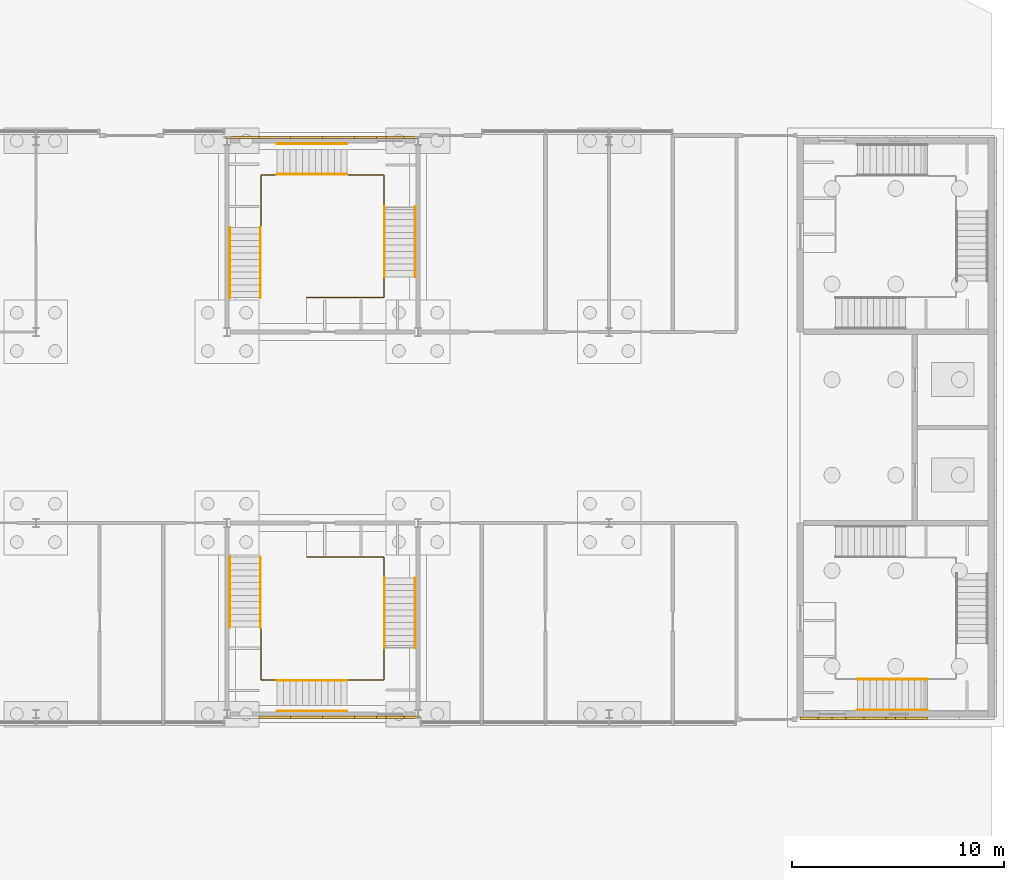
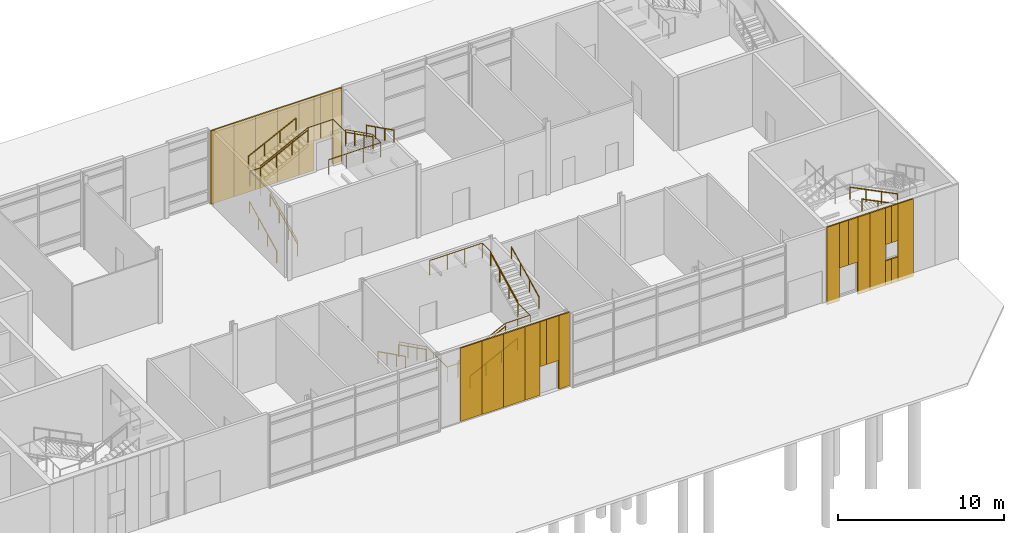
# One storey, part 43 of 45: 25 coverings, 16 railings.
"""IFC4 building model written with IfcOpenShell, lengths in metres."""

from ifc_helpers import new_model, si_unit, direction, frame, origin, origin_2d, place, context, subcontext, project, spatial, rectangle, circle, extrude, material, layer, layer_set, type_object, element, save


model = new_model("IFC4")

# Units and contexts
model_context = context("Model", 3, precision=1e-05, world=origin(), true_north=direction((0.0, 1.0)))
body_context = subcontext(model_context, "Body", "Model", "MODEL_VIEW")
ifc_project = project(units=[si_unit("LENGTHUNIT", "METRE"), si_unit("AREAUNIT", "SQUARE_METRE"), si_unit("VOLUMEUNIT", "CUBIC_METRE"), si_unit("PLANEANGLEUNIT", "RADIAN"), si_unit("MASSUNIT", "GRAM", prefix="KILO")], contexts=[model_context])

# Site, building, storey
site_placement = place(None, origin())
site = spatial("IfcSite", under=ifc_project, at=site_placement, CompositionType="ELEMENT")
building_placement = place(site_placement, origin())
building = spatial("IfcBuilding", under=site, at=building_placement, Name="Azimuth Sports and Learning Centre", CompositionType="ELEMENT")
storey_placement = place(building_placement, origin())
storey = spatial("IfcBuildingStorey", under=building, at=storey_placement, Name="L00", CompositionType="ELEMENT", Elevation=0.0)

# Coverings
ifc_material_1 = material(Name="Cladding panel")
ifc_layer = layer(ifc_material_1, 0.10009765625)
ifc_layer_set = layer_set([ifc_layer], Name="Cladding panel")
covering_type = type_object("IfcCoveringType", Name="Cladding panel 100", PredefinedType="CLADDING", material=ifc_layer_set)
for number, where, z_axis, x_axis, name in (
    (1, (137.25, 89.85009765625, 0.0), (0.0, 0.0, 1.0), (1.0, 0.0, 0.0), "Cladding panel S-EM1 L00 2"),
    (2, (138.75, 89.85009765625, 0.0), (0.0, 0.0, 1.0), (1.0, 0.0, 0.0), "Cladding panel S-EM1 L00 3"),
    (3, (140.25, 89.85009765625, 0.0), (0.0, 0.0, 1.0), (1.0, 0.0, 0.0), "Cladding panel S-EM1 L00 4"),
):
    element("IfcCovering", number, at=place(storey_placement, frame(where, z_axis=z_axis, x_axis=x_axis)), inside=storey, type_object=covering_type, Name=name, PredefinedType="CLADDING", context=body_context, shape_type="SweptSolid", body=[
        extrude(rectangle(XDim=1.5, YDim=0.10009765625, at=origin_2d()), origin(), (0.0, 0.0, 1.0), 5.39990234375),
    ])
covering_1_placement = place(storey_placement, frame((142.27490234375, 89.85009765625, 2.10009765625), z_axis=(0.0, 0.0, 1.0), x_axis=(1.0, 0.0, 0.0)))
element("IfcCovering", 4, at=covering_1_placement, inside=storey, type_object=covering_type, Name="Cladding panel S-EM1 L00 5", PredefinedType="CLADDING", context=body_context, shape_type="SweptSolid", body=[
    extrude(rectangle(XDim=0.449951171875, YDim=0.10009765625, at=origin_2d()), origin(), (0.0, 0.0, 1.0), 3.300048828125),
])
covering_2_placement = place(storey_placement, frame((141.52490234375, 89.85009765625, 0.0), z_axis=(0.0, 0.0, 1.0), x_axis=(1.0, 0.0, 0.0)))
element("IfcCovering", 5, at=covering_2_placement, inside=storey, type_object=covering_type, Name="Cladding panel S-EM1 L00 6", PredefinedType="CLADDING", context=body_context, shape_type="SweptSolid", body=[
    extrude(rectangle(XDim=1.050048828125, YDim=0.10009765625, at=origin_2d()), origin(), (0.0, 0.0, 1.0), 5.39990234375),
])
covering_3_placement = place(storey_placement, frame((142.925048828125, 89.85009765625, 2.10009765625), z_axis=(0.0, 0.0, 1.0), x_axis=(1.0, 0.0, 0.0)))
element("IfcCovering", 6, at=covering_3_placement, inside=storey, type_object=covering_type, Name="Cladding panel S-EM1 L00 7", PredefinedType="CLADDING", context=body_context, shape_type="SweptSolid", body=[
    extrude(rectangle(XDim=0.85009765625, YDim=0.10009765625, at=origin_2d()), origin(), (0.0, 0.0, 1.0), 3.300048828125),
])
covering_4_placement = place(storey_placement, frame((143.72509765625, 89.85009765625, 0.0), z_axis=(0.0, 0.0, 1.0), x_axis=(1.0, 0.0, 0.0)))
element("IfcCovering", 7, at=covering_4_placement, inside=storey, type_object=covering_type, Name="Cladding panel S-EM1 L00 8", PredefinedType="CLADDING", context=body_context, shape_type="SweptSolid", body=[
    extrude(rectangle(XDim=0.75, YDim=0.10009765625, at=origin_2d()), origin(), (0.0, 0.0, 1.0), 5.39990234375),
])
covering_5_placement = place(storey_placement, frame((163.175048828125, 89.800048828125, 2.10009765625), z_axis=(0.0, 0.0, 1.0), x_axis=(1.0, 0.0, 0.0)))
element("IfcCovering", 8, at=covering_5_placement, inside=storey, type_object=covering_type, Name="Cladding panel S-END E L00 1", PredefinedType="CLADDING", context=body_context, shape_type="SweptSolid", body=[
    extrude(rectangle(XDim=0.64990234375, YDim=0.10009765625, at=origin_2d()), origin(), (0.0, 0.0, 1.0), 3.300048828125),
])
covering_6_placement = place(storey_placement, frame((162.425048828125, 89.800048828125, -0.2998046875), z_axis=(0.0, 0.0, 1.0), x_axis=(1.0, 0.0, 0.0)))
element("IfcCovering", 9, at=covering_6_placement, inside=storey, type_object=covering_type, Name="Cladding panel S-END E L00 2", PredefinedType="CLADDING", context=body_context, shape_type="SweptSolid", body=[
    extrude(rectangle(XDim=0.85009765625, YDim=0.10009765625, at=origin_2d()), origin(), (0.0, 0.0, 1.0), 5.699951171875),
])
covering_7_placement = place(storey_placement, frame((163.824951171875, 89.800048828125, 2.10009765625), z_axis=(0.0, 0.0, 1.0), x_axis=(1.0, 0.0, 0.0)))
element("IfcCovering", 10, at=covering_7_placement, inside=storey, type_object=covering_type, Name="Cladding panel S-END E L00 3", PredefinedType="CLADDING", context=body_context, shape_type="SweptSolid", body=[
    extrude(rectangle(XDim=0.64990234375, YDim=0.10009765625, at=origin_2d()), origin(), (0.0, 0.0, 1.0), 3.300048828125),
])
covering_8_placement = place(storey_placement, frame((164.574951171875, 89.800048828125, -0.2998046875), z_axis=(0.0, 0.0, 1.0), x_axis=(1.0, 0.0, 0.0)))
element("IfcCovering", 11, at=covering_8_placement, inside=storey, type_object=covering_type, Name="Cladding panel S-END E L00 4", PredefinedType="CLADDING", context=body_context, shape_type="SweptSolid", body=[
    extrude(rectangle(XDim=0.85009765625, YDim=0.10009765625, at=origin_2d()), origin(), (0.0, 0.0, 1.0), 5.699951171875),
])
covering_9_placement = place(storey_placement, frame((165.52490234375, 89.800048828125, -0.2998046875), z_axis=(0.0, 0.0, 1.0), x_axis=(1.0, 0.0, 0.0)))
element("IfcCovering", 12, at=covering_9_placement, inside=storey, type_object=covering_type, Name="Cladding panel S-END E L00 5", PredefinedType="CLADDING", context=body_context, shape_type="SweptSolid", body=[
    extrude(rectangle(XDim=1.050048828125, YDim=0.10009765625, at=origin_2d()), origin(), (0.0, 0.0, 1.0), 5.699951171875),
])
covering_10_placement = place(storey_placement, frame((166.27490234375, 89.800048828125, -0.2998046875), z_axis=(0.0, 0.0, 1.0), x_axis=(1.0, 0.0, 0.0)))
element("IfcCovering", 13, at=covering_10_placement, inside=storey, type_object=covering_type, Name="Cladding panel S-END E L00 6", PredefinedType="CLADDING", context=body_context, shape_type="SweptSolid", body=[
    extrude(rectangle(XDim=0.449951171875, YDim=0.10009765625, at=origin_2d()), origin(), (0.0, 0.0, 1.0), 1.800048828125),
])
covering_11_placement = place(storey_placement, frame((166.27490234375, 89.800048828125, 2.7001953125), z_axis=(0.0, 0.0, 1.0), x_axis=(1.0, 0.0, 0.0)))
element("IfcCovering", 14, at=covering_11_placement, inside=storey, type_object=covering_type, Name="Cladding panel S-END E L00 7", PredefinedType="CLADDING", context=body_context, shape_type="SweptSolid", body=[
    extrude(rectangle(XDim=0.449951171875, YDim=0.10009765625, at=origin_2d()), origin(), (0.0, 0.0, 1.0), 2.699951171875),
])
covering_12_placement = place(storey_placement, frame((167.47509765625, 89.800048828125, -0.2998046875), z_axis=(0.0, 0.0, 1.0), x_axis=(1.0, 0.0, 0.0)))
element("IfcCovering", 15, at=covering_12_placement, inside=storey, type_object=covering_type, Name="Cladding panel S-END E L00 8", PredefinedType="CLADDING", context=body_context, shape_type="SweptSolid", body=[
    extrude(rectangle(XDim=1.050048828125, YDim=0.10009765625, at=origin_2d()), origin(), (0.0, 0.0, 1.0), 5.699951171875),
])
covering_13_placement = place(storey_placement, frame((166.72509765625, 89.800048828125, -0.2998046875), z_axis=(0.0, 0.0, 1.0), x_axis=(1.0, 0.0, 0.0)))
element("IfcCovering", 16, at=covering_13_placement, inside=storey, type_object=covering_type, Name="Cladding panel S-END E L00 9", PredefinedType="CLADDING", context=body_context, shape_type="SweptSolid", body=[
    extrude(rectangle(XDim=0.449951171875, YDim=0.10009765625, at=origin_2d()), origin(), (0.0, 0.0, 1.0), 1.800048828125),
])
covering_14_placement = place(storey_placement, frame((166.72509765625, 89.800048828125, 2.7001953125), z_axis=(0.0, 0.0, 1.0), x_axis=(1.0, 0.0, 0.0)))
element("IfcCovering", 17, at=covering_14_placement, inside=storey, type_object=covering_type, Name="Cladding panel S-END E L00 10", PredefinedType="CLADDING", context=body_context, shape_type="SweptSolid", body=[
    extrude(rectangle(XDim=0.449951171875, YDim=0.10009765625, at=origin_2d()), origin(), (0.0, 0.0, 1.0), 2.699951171875),
])
covering_15_placement = place(storey_placement, frame((142.925048828125, 117.14990234375, 2.10009765625), z_axis=(0.0, 0.0, 1.0), x_axis=(-1.0, 0.0, 0.0)))
element("IfcCovering", 18, at=covering_15_placement, inside=storey, type_object=covering_type, Name="Cladding panel N-EM2 L00 1", PredefinedType="CLADDING", context=body_context, shape_type="SweptSolid", body=[
    extrude(rectangle(XDim=0.85009765625, YDim=0.10009765625, at=origin_2d()), origin(), (0.0, 0.0, 1.0), 3.300048828125),
])
covering_16_placement = place(storey_placement, frame((143.675048828125, 117.14990234375, 0.0), z_axis=(0.0, 0.0, 1.0), x_axis=(-1.0, 0.0, 0.0)))
element("IfcCovering", 19, at=covering_16_placement, inside=storey, type_object=covering_type, Name="Cladding panel N-EM2 L00 2", PredefinedType="CLADDING", context=body_context, shape_type="SweptSolid", body=[
    extrude(rectangle(XDim=0.64990234375, YDim=0.10009765625, at=origin_2d()), origin(), (0.0, 0.0, 1.0), 5.39990234375),
])
covering_17_placement = place(storey_placement, frame((142.27490234375, 117.14990234375, 2.10009765625), z_axis=(0.0, 0.0, 1.0), x_axis=(-1.0, 0.0, 0.0)))
element("IfcCovering", 20, at=covering_17_placement, inside=storey, type_object=covering_type, Name="Cladding panel N-EM2 L00 3", PredefinedType="CLADDING", context=body_context, shape_type="SweptSolid", body=[
    extrude(rectangle(XDim=0.449951171875, YDim=0.10009765625, at=origin_2d()), origin(), (0.0, 0.0, 1.0), 3.300048828125),
])
covering_18_placement = place(storey_placement, frame((141.52490234375, 117.14990234375, 0.0), z_axis=(0.0, 0.0, 1.0), x_axis=(-1.0, 0.0, 0.0)))
element("IfcCovering", 21, at=covering_18_placement, inside=storey, type_object=covering_type, Name="Cladding panel N-EM2 L00 4", PredefinedType="CLADDING", context=body_context, shape_type="SweptSolid", body=[
    extrude(rectangle(XDim=1.050048828125, YDim=0.10009765625, at=origin_2d()), origin(), (0.0, 0.0, 1.0), 5.39990234375),
])
for number, where, z_axis, x_axis, name in (
    (22, (140.25, 117.14990234375, 0.0), (0.0, 0.0, 1.0), (-1.0, 0.0, 0.0), "Cladding panel N-EM2 L00 5"),
    (23, (138.75, 117.14990234375, 0.0), (0.0, 0.0, 1.0), (-1.0, 0.0, 0.0), "Cladding panel N-EM2 L00 6"),
    (24, (137.25, 117.14990234375, 0.0), (0.0, 0.0, 1.0), (-1.0, 0.0, 0.0), "Cladding panel N-EM2 L00 7"),
):
    element("IfcCovering", number, at=place(storey_placement, frame(where, z_axis=z_axis, x_axis=x_axis)), inside=storey, type_object=covering_type, Name=name, PredefinedType="CLADDING", context=body_context, shape_type="SweptSolid", body=[
        extrude(rectangle(XDim=1.5, YDim=0.10009765625, at=origin_2d()), origin(), (0.0, 0.0, 1.0), 5.39990234375),
    ])
covering_19_placement = place(storey_placement, frame((135.699951171875, 117.14990234375, 0.0), z_axis=(0.0, 0.0, 1.0), x_axis=(-1.0, 0.0, 0.0)))
element("IfcCovering", 25, at=covering_19_placement, inside=storey, type_object=covering_type, Name="Cladding panel N-EM2 L00 8", PredefinedType="CLADDING", context=body_context, shape_type="SweptSolid", body=[
    extrude(rectangle(XDim=1.60009765625, YDim=0.10009765625, at=origin_2d()), origin(), (0.0, 0.0, 1.0), 5.39990234375),
])

# Railings
ifc_material_2 = material(Name="Stainless steel", Category="steel")
railing_type_1 = type_object("IfcRailingType", Name="Stair guard 1100", PredefinedType="GUARDRAIL", material=ifc_material_2)
railing_1_placement = place(storey_placement, frame((136.610107421875, 97.389892578125, 0.14990234375)))
element("IfcRailing", 26, at=railing_1_placement, inside=storey, type_object=railing_type_1, Name="Guard EM1 L00 well", PredefinedType="GUARDRAIL", context=body_context, shape_type="SweptSolid", body=[
    extrude(circle(Radius=0.02392578125, at=origin_2d()), frame((0.0, 0.0, 1.076171875), z_axis=(0.0, -0.894400720042, 0.447266533499), x_axis=(1.0, 0.0, 0.0)), (0.0, 0.0, 1.0), 3.689453125),
    extrude(circle(Radius=0.02392578125, at=origin_2d()), frame((0.0, -3.2998046875, 2.72607421875), z_axis=(0.0, -1.0, 0.0), x_axis=(1.0, 0.0, 0.0)), (0.0, 0.0, 1.0), 2.47998046875),
    extrude(circle(Radius=0.02392578125, at=origin_2d()), frame((0.0, -5.77978515625, 2.72607421875), z_axis=(1.0, 0.0, 0.0), x_axis=(0.0, 1.0, 0.0)), (0.0, 0.0, 1.0), 0.75),
    extrude(circle(Radius=0.02392578125, at=origin_2d()), frame((0.75, -5.77978515625, 2.72607421875), z_axis=(0.0, 0.0, 1.0), x_axis=(1.0, 0.0, 0.0)), (0.0, 0.0, 1.0), 0.14990234375),
    extrude(circle(Radius=0.02392578125, at=origin_2d()), frame((0.75, -5.77978515625, 2.8759765625), z_axis=(0.894400720042, 0.0, 0.447266533499), x_axis=(0.0, 1.0, 0.0)), (0.0, 0.0, 1.0), 3.689453125),
    extrude(circle(Radius=0.02392578125, at=origin_2d()), frame((4.0498046875, -5.77978515625, 4.5263671875), z_axis=(1.0, 0.0, 0.0), x_axis=(0.0, 1.0, 0.0)), (0.0, 0.0, 1.0), 1.72998046875),
    extrude(circle(Radius=0.02392578125, at=origin_2d()), frame((5.77978515625, -5.77978515625, 4.5263671875), z_axis=(0.0, 1.0, 0.0), x_axis=(-1.0, 0.0, 0.0)), (0.0, 0.0, 1.0), 1.5),
    extrude(circle(Radius=0.02392578125, at=origin_2d()), frame((5.77978515625, -4.27978515625, 4.5263671875), z_axis=(0.0, 0.0, 1.0), x_axis=(1.0, 0.0, 0.0)), (0.0, 0.0, 1.0), 0.14990234375),
    extrude(circle(Radius=0.02392578125, at=origin_2d()), frame((5.77978515625, -4.27978515625, 4.67626953125), z_axis=(0.0, 0.894427191, 0.4472135955), x_axis=(-1.0, 0.0, 0.0)), (0.0, 0.0, 1.0), 3.689208984375),
    extrude(circle(Radius=0.02392578125, at=origin_2d()), frame((5.77978515625, -0.97998046875, 6.326171875), z_axis=(0.0, 1.0, 0.0), x_axis=(-1.0, 0.0, 0.0)), (0.0, 0.0, 1.0), 0.97998046875),
    extrude(circle(Radius=0.02392578125, at=origin_2d()), frame((5.77978515625, 0.0, 6.326171875), z_axis=(-1.0, 0.0, 0.0), x_axis=(0.0, -1.0, 0.0)), (0.0, 0.0, 1.0), 3.639892578125),
    extrude(circle(Radius=0.01611328125, at=origin_2d()), origin(), (0.0, 0.0, 1.0), 1.052001953125),
    extrude(circle(Radius=0.01611328125, at=origin_2d()), frame((0.0, -1.099853515625, 0.550048828125)), (0.0, 0.0, 1.0), 1.052001953125),
    extrude(circle(Radius=0.01611328125, at=origin_2d()), frame((0.0, -2.199951171875, 1.10009765625)), (0.0, 0.0, 1.0), 1.052001953125),
    extrude(circle(Radius=0.01611328125, at=origin_2d()), frame((0.0, -3.2998046875, 1.650146484375)), (0.0, 0.0, 1.0), 1.052001953125),
    extrude(circle(Radius=0.01611328125, at=origin_2d()), frame((0.0, -4.539794921875, 1.650146484375)), (0.0, 0.0, 1.0), 1.052001953125),
    extrude(circle(Radius=0.01611328125, at=origin_2d()), frame((0.0, -5.77978515625, 1.650146484375)), (0.0, 0.0, 1.0), 1.052001953125),
    extrude(circle(Radius=0.01611328125, at=origin_2d()), frame((0.75, -5.77978515625, 1.650146484375)), (0.0, 0.0, 1.0), 1.052001953125),
    extrude(circle(Radius=0.01611328125, at=origin_2d()), frame((0.75, -5.77978515625, 1.800048828125)), (0.0, 0.0, 1.0), 1.052001953125),
    extrude(circle(Radius=0.01611328125, at=origin_2d()), frame((1.849853515625, -5.77978515625, 2.35009765625)), (0.0, 0.0, 1.0), 1.052001953125),
    extrude(circle(Radius=0.01611328125, at=origin_2d()), frame((2.949951171875, -5.77978515625, 2.900146484375)), (0.0, 0.0, 1.0), 1.052001953125),
    extrude(circle(Radius=0.01611328125, at=origin_2d()), frame((4.0498046875, -5.77978515625, 3.4501953125)), (0.0, 0.0, 1.0), 1.052001953125),
    extrude(circle(Radius=0.01611328125, at=origin_2d()), frame((4.914794921875, -5.77978515625, 3.4501953125)), (0.0, 0.0, 1.0), 1.052001953125),
    extrude(circle(Radius=0.01611328125, at=origin_2d()), frame((5.77978515625, -5.77978515625, 3.4501953125)), (0.0, 0.0, 1.0), 1.052001953125),
    extrude(circle(Radius=0.01611328125, at=origin_2d()), frame((5.77978515625, -4.27978515625, 3.4501953125)), (0.0, 0.0, 1.0), 1.052001953125),
    extrude(circle(Radius=0.01611328125, at=origin_2d()), frame((5.77978515625, -4.27978515625, 3.60009765625)), (0.0, 0.0, 1.0), 1.052001953125),
    extrude(circle(Radius=0.01611328125, at=origin_2d()), frame((5.77978515625, -3.179931640625, 4.150146484375)), (0.0, 0.0, 1.0), 1.052001953125),
    extrude(circle(Radius=0.01611328125, at=origin_2d()), frame((5.77978515625, -2.079833984375, 4.699951171875)), (0.0, 0.0, 1.0), 1.052001953125),
    extrude(circle(Radius=0.01611328125, at=origin_2d()), frame((5.77978515625, -0.97998046875, 5.25)), (0.0, 0.0, 1.0), 1.052001953125),
    extrude(circle(Radius=0.01611328125, at=origin_2d()), frame((5.77978515625, 0.0, 5.25)), (0.0, 0.0, 1.0), 1.052001953125),
    extrude(circle(Radius=0.01611328125, at=origin_2d()), frame((4.56640625, 0.0, 5.25)), (0.0, 0.0, 1.0), 1.052001953125),
    extrude(circle(Radius=0.01611328125, at=origin_2d()), frame((3.353271484375, 0.0, 5.25)), (0.0, 0.0, 1.0), 1.052001953125),
    extrude(circle(Radius=0.01611328125, at=origin_2d()), frame((2.139892578125, 0.0, 5.25)), (0.0, 0.0, 1.0), 1.052001953125),
])
railing_2_placement = place(storey_placement, frame((136.610107421875, 109.610107421875, 0.14990234375)))
element("IfcRailing", 27, at=railing_2_placement, inside=storey, type_object=railing_type_1, Name="Guard EM2 L00 well", PredefinedType="GUARDRAIL", context=body_context, shape_type="SweptSolid", body=[
    extrude(circle(Radius=0.02392578125, at=origin_2d()), frame((0.0, 0.0, 1.076171875), z_axis=(0.0, 0.894400720042, 0.447266533499), x_axis=(-1.0, 0.0, 0.0)), (0.0, 0.0, 1.0), 3.689453125),
    extrude(circle(Radius=0.02392578125, at=origin_2d()), frame((0.0, 3.2998046875, 2.72607421875), z_axis=(0.0, 1.0, 0.0), x_axis=(-1.0, 0.0, 0.0)), (0.0, 0.0, 1.0), 2.47998046875),
    extrude(circle(Radius=0.02392578125, at=origin_2d()), frame((0.0, 5.77978515625, 2.72607421875), z_axis=(1.0, 0.0, 0.0), x_axis=(0.0, 1.0, 0.0)), (0.0, 0.0, 1.0), 0.75),
    extrude(circle(Radius=0.02392578125, at=origin_2d()), frame((0.75, 5.77978515625, 2.72607421875), z_axis=(0.0, 0.0, 1.0), x_axis=(1.0, 0.0, 0.0)), (0.0, 0.0, 1.0), 0.14990234375),
    extrude(circle(Radius=0.02392578125, at=origin_2d()), frame((0.75, 5.77978515625, 2.8759765625), z_axis=(0.894400720042, 0.0, 0.447266533499), x_axis=(0.0, 1.0, 0.0)), (0.0, 0.0, 1.0), 3.689453125),
    extrude(circle(Radius=0.02392578125, at=origin_2d()), frame((4.0498046875, 5.77978515625, 4.5263671875), z_axis=(1.0, 0.0, 0.0), x_axis=(0.0, 1.0, 0.0)), (0.0, 0.0, 1.0), 1.72998046875),
    extrude(circle(Radius=0.02392578125, at=origin_2d()), frame((5.77978515625, 5.77978515625, 4.5263671875), z_axis=(0.0, -1.0, 0.0), x_axis=(1.0, 0.0, 0.0)), (0.0, 0.0, 1.0), 1.5),
    extrude(circle(Radius=0.02392578125, at=origin_2d()), frame((5.77978515625, 4.27978515625, 4.5263671875), z_axis=(0.0, 0.0, 1.0), x_axis=(1.0, 0.0, 0.0)), (0.0, 0.0, 1.0), 0.14990234375),
    extrude(circle(Radius=0.02392578125, at=origin_2d()), frame((5.77978515625, 4.27978515625, 4.67626953125), z_axis=(0.0, -0.894427191, 0.4472135955), x_axis=(1.0, 0.0, 0.0)), (0.0, 0.0, 1.0), 3.689208984375),
    extrude(circle(Radius=0.02392578125, at=origin_2d()), frame((5.77978515625, 0.97998046875, 6.326171875), z_axis=(0.0, -1.0, 0.0), x_axis=(1.0, 0.0, 0.0)), (0.0, 0.0, 1.0), 0.97998046875),
    extrude(circle(Radius=0.02392578125, at=origin_2d()), frame((5.77978515625, 0.0, 6.326171875), z_axis=(-1.0, 0.0, 0.0), x_axis=(0.0, -1.0, 0.0)), (0.0, 0.0, 1.0), 3.639892578125),
    extrude(circle(Radius=0.01611328125, at=origin_2d()), origin(), (0.0, 0.0, 1.0), 1.052001953125),
    extrude(circle(Radius=0.01611328125, at=origin_2d()), frame((0.0, 1.099853515625, 0.550048828125)), (0.0, 0.0, 1.0), 1.052001953125),
    extrude(circle(Radius=0.01611328125, at=origin_2d()), frame((0.0, 2.199951171875, 1.10009765625)), (0.0, 0.0, 1.0), 1.052001953125),
    extrude(circle(Radius=0.01611328125, at=origin_2d()), frame((0.0, 3.2998046875, 1.650146484375)), (0.0, 0.0, 1.0), 1.052001953125),
    extrude(circle(Radius=0.01611328125, at=origin_2d()), frame((0.0, 4.539794921875, 1.650146484375)), (0.0, 0.0, 1.0), 1.052001953125),
    extrude(circle(Radius=0.01611328125, at=origin_2d()), frame((0.0, 5.77978515625, 1.650146484375)), (0.0, 0.0, 1.0), 1.052001953125),
    extrude(circle(Radius=0.01611328125, at=origin_2d()), frame((0.75, 5.77978515625, 1.650146484375)), (0.0, 0.0, 1.0), 1.052001953125),
    extrude(circle(Radius=0.01611328125, at=origin_2d()), frame((0.75, 5.77978515625, 1.800048828125)), (0.0, 0.0, 1.0), 1.052001953125),
    extrude(circle(Radius=0.01611328125, at=origin_2d()), frame((1.849853515625, 5.77978515625, 2.35009765625)), (0.0, 0.0, 1.0), 1.052001953125),
    extrude(circle(Radius=0.01611328125, at=origin_2d()), frame((2.949951171875, 5.77978515625, 2.900146484375)), (0.0, 0.0, 1.0), 1.052001953125),
    extrude(circle(Radius=0.01611328125, at=origin_2d()), frame((4.0498046875, 5.77978515625, 3.4501953125)), (0.0, 0.0, 1.0), 1.052001953125),
    extrude(circle(Radius=0.01611328125, at=origin_2d()), frame((4.914794921875, 5.77978515625, 3.4501953125)), (0.0, 0.0, 1.0), 1.052001953125),
    extrude(circle(Radius=0.01611328125, at=origin_2d()), frame((5.77978515625, 5.77978515625, 3.4501953125)), (0.0, 0.0, 1.0), 1.052001953125),
    extrude(circle(Radius=0.01611328125, at=origin_2d()), frame((5.77978515625, 4.27978515625, 3.4501953125)), (0.0, 0.0, 1.0), 1.052001953125),
    extrude(circle(Radius=0.01611328125, at=origin_2d()), frame((5.77978515625, 4.27978515625, 3.60009765625)), (0.0, 0.0, 1.0), 1.052001953125),
    extrude(circle(Radius=0.01611328125, at=origin_2d()), frame((5.77978515625, 3.179931640625, 4.150146484375)), (0.0, 0.0, 1.0), 1.052001953125),
    extrude(circle(Radius=0.01611328125, at=origin_2d()), frame((5.77978515625, 2.079833984375, 4.699951171875)), (0.0, 0.0, 1.0), 1.052001953125),
    extrude(circle(Radius=0.01611328125, at=origin_2d()), frame((5.77978515625, 0.97998046875, 5.25)), (0.0, 0.0, 1.0), 1.052001953125),
    extrude(circle(Radius=0.01611328125, at=origin_2d()), frame((5.77978515625, 0.0, 5.25)), (0.0, 0.0, 1.0), 1.052001953125),
    extrude(circle(Radius=0.01611328125, at=origin_2d()), frame((4.56640625, 0.0, 5.25)), (0.0, 0.0, 1.0), 1.052001953125),
    extrude(circle(Radius=0.01611328125, at=origin_2d()), frame((3.353271484375, 0.0, 5.25)), (0.0, 0.0, 1.0), 1.052001953125),
    extrude(circle(Radius=0.01611328125, at=origin_2d()), frame((2.139892578125, 0.0, 5.25)), (0.0, 0.0, 1.0), 1.052001953125),
])
ifc_material_3 = material(Name="Stainless steel", Category="steel")
railing_type_2 = type_object("IfcRailingType", Name="Stair handrail 42", PredefinedType="HANDRAIL", material=ifc_material_3)
for number, where, name in (
    (28, (167.989990234375, 91.6298828125, 3.75), "Handrail EW1 L00 flight 3 inner"),
    (29, (167.989990234375, 90.18994140625, 3.75), "Handrail EW1 L00 flight 3 outer"),
):
    element("IfcRailing", number, at=place(storey_placement, frame(where)), inside=storey, type_object=railing_type_2, Name=name, PredefinedType="HANDRAIL", context=body_context, shape_type="SweptSolid", body=[
        extrude(circle(Radius=0.02099609375, at=origin_2d()), frame((0.0, 0.0, 0.87890625), z_axis=(-0.894440424912, 0.0, 0.447187126696), x_axis=(0.0, -1.0, 0.0)), (0.0, 0.0, 1.0), 3.689453125),
        extrude(circle(Radius=0.01611328125, at=origin_2d()), origin(), (0.0, 0.0, 1.0), 0.85791015625),
        extrude(circle(Radius=0.01611328125, at=origin_2d()), frame((-1.10009765625, 0.0, 0.550048828125)), (0.0, 0.0, 1.0), 0.85791015625),
        extrude(circle(Radius=0.01611328125, at=origin_2d()), frame((-2.199951171875, 0.0, 1.099853515625)), (0.0, 0.0, 1.0), 0.85791015625),
        extrude(circle(Radius=0.01611328125, at=origin_2d()), frame((-3.300048828125, 0.0, 1.64990234375)), (0.0, 0.0, 1.0), 0.85791015625),
    ])
for number, where, name in (
    (30, (136.580078125, 97.389892578125, 0.14990234375), "Handrail EM1 L00 flight 1 inner"),
    (31, (135.139892578125, 97.389892578125, 0.14990234375), "Handrail EM1 L00 flight 1 outer"),
):
    element("IfcRailing", number, at=place(storey_placement, frame(where)), inside=storey, type_object=railing_type_2, Name=name, PredefinedType="HANDRAIL", context=body_context, shape_type="SweptSolid", body=[
        extrude(circle(Radius=0.02099609375, at=origin_2d()), frame((0.0, 0.0, 0.87890625), z_axis=(0.0, -0.894400720042, 0.447266533499), x_axis=(1.0, 0.0, 0.0)), (0.0, 0.0, 1.0), 3.689453125),
        extrude(circle(Radius=0.01611328125, at=origin_2d()), origin(), (0.0, 0.0, 1.0), 0.85791015625),
        extrude(circle(Radius=0.01611328125, at=origin_2d()), frame((0.0, -1.099853515625, 0.550048828125)), (0.0, 0.0, 1.0), 0.85791015625),
        extrude(circle(Radius=0.01611328125, at=origin_2d()), frame((0.0, -2.199951171875, 1.10009765625)), (0.0, 0.0, 1.0), 0.85791015625),
        extrude(circle(Radius=0.01611328125, at=origin_2d()), frame((0.0, -3.2998046875, 1.650146484375)), (0.0, 0.0, 1.0), 0.85791015625),
    ])
for number, where, name in (
    (32, (137.360107421875, 91.580078125, 1.949951171875), "Handrail EM1 L00 flight 2 inner"),
    (33, (137.360107421875, 90.139892578125, 1.949951171875), "Handrail EM1 L00 flight 2 outer"),
):
    element("IfcRailing", number, at=place(storey_placement, frame(where)), inside=storey, type_object=railing_type_2, Name=name, PredefinedType="HANDRAIL", context=body_context, shape_type="SweptSolid", body=[
        extrude(circle(Radius=0.02099609375, at=origin_2d()), frame((0.0, 0.0, 0.87890625), z_axis=(0.894400720042, 0.0, 0.447266533499), x_axis=(0.0, 1.0, 0.0)), (0.0, 0.0, 1.0), 3.689453125),
        extrude(circle(Radius=0.01611328125, at=origin_2d()), origin(), (0.0, 0.0, 1.0), 0.85791015625),
        extrude(circle(Radius=0.01611328125, at=origin_2d()), frame((1.099853515625, 0.0, 0.550048828125)), (0.0, 0.0, 1.0), 0.85791015625),
        extrude(circle(Radius=0.01611328125, at=origin_2d()), frame((2.199951171875, 0.0, 1.10009765625)), (0.0, 0.0, 1.0), 0.85791015625),
        extrude(circle(Radius=0.01611328125, at=origin_2d()), frame((3.2998046875, 0.0, 1.650146484375)), (0.0, 0.0, 1.0), 0.85791015625),
    ])
for number, where, name in (
    (34, (142.419921875, 93.110107421875, 3.75), "Handrail EM1 L00 flight 3 inner"),
    (35, (143.860107421875, 93.110107421875, 3.75), "Handrail EM1 L00 flight 3 outer"),
):
    element("IfcRailing", number, at=place(storey_placement, frame(where)), inside=storey, type_object=railing_type_2, Name=name, PredefinedType="HANDRAIL", context=body_context, shape_type="SweptSolid", body=[
        extrude(circle(Radius=0.02099609375, at=origin_2d()), frame((0.0, 0.0, 0.87890625), z_axis=(0.0, 0.894427191, 0.4472135955), x_axis=(-1.0, 0.0, 0.0)), (0.0, 0.0, 1.0), 3.689208984375),
        extrude(circle(Radius=0.01611328125, at=origin_2d()), origin(), (0.0, 0.0, 1.0), 0.85791015625),
        extrude(circle(Radius=0.01611328125, at=origin_2d()), frame((0.0, 1.099853515625, 0.550048828125)), (0.0, 0.0, 1.0), 0.85791015625),
        extrude(circle(Radius=0.01611328125, at=origin_2d()), frame((0.0, 2.199951171875, 1.099853515625)), (0.0, 0.0, 1.0), 0.85791015625),
        extrude(circle(Radius=0.01611328125, at=origin_2d()), frame((0.0, 3.2998046875, 1.64990234375)), (0.0, 0.0, 1.0), 0.85791015625),
    ])
for number, where, name in (
    (36, (136.580078125, 109.610107421875, 0.14990234375), "Handrail EM2 L00 flight 1 inner"),
    (37, (135.139892578125, 109.610107421875, 0.14990234375), "Handrail EM2 L00 flight 1 outer"),
):
    element("IfcRailing", number, at=place(storey_placement, frame(where)), inside=storey, type_object=railing_type_2, Name=name, PredefinedType="HANDRAIL", context=body_context, shape_type="SweptSolid", body=[
        extrude(circle(Radius=0.02099609375, at=origin_2d()), frame((0.0, 0.0, 0.87890625), z_axis=(0.0, 0.894400720042, 0.447266533499), x_axis=(-1.0, 0.0, 0.0)), (0.0, 0.0, 1.0), 3.689453125),
        extrude(circle(Radius=0.01611328125, at=origin_2d()), origin(), (0.0, 0.0, 1.0), 0.85791015625),
        extrude(circle(Radius=0.01611328125, at=origin_2d()), frame((0.0, 1.099853515625, 0.550048828125)), (0.0, 0.0, 1.0), 0.85791015625),
        extrude(circle(Radius=0.01611328125, at=origin_2d()), frame((0.0, 2.199951171875, 1.10009765625)), (0.0, 0.0, 1.0), 0.85791015625),
        extrude(circle(Radius=0.01611328125, at=origin_2d()), frame((0.0, 3.2998046875, 1.650146484375)), (0.0, 0.0, 1.0), 0.85791015625),
    ])
for number, where, name in (
    (38, (137.360107421875, 115.419921875, 1.949951171875), "Handrail EM2 L00 flight 2 inner"),
    (39, (137.360107421875, 116.860107421875, 1.949951171875), "Handrail EM2 L00 flight 2 outer"),
):
    element("IfcRailing", number, at=place(storey_placement, frame(where)), inside=storey, type_object=railing_type_2, Name=name, PredefinedType="HANDRAIL", context=body_context, shape_type="SweptSolid", body=[
        extrude(circle(Radius=0.02099609375, at=origin_2d()), frame((0.0, 0.0, 0.87890625), z_axis=(0.894400720042, 0.0, 0.447266533499), x_axis=(0.0, 1.0, 0.0)), (0.0, 0.0, 1.0), 3.689453125),
        extrude(circle(Radius=0.01611328125, at=origin_2d()), origin(), (0.0, 0.0, 1.0), 0.85791015625),
        extrude(circle(Radius=0.01611328125, at=origin_2d()), frame((1.099853515625, 0.0, 0.550048828125)), (0.0, 0.0, 1.0), 0.85791015625),
        extrude(circle(Radius=0.01611328125, at=origin_2d()), frame((2.199951171875, 0.0, 1.10009765625)), (0.0, 0.0, 1.0), 0.85791015625),
        extrude(circle(Radius=0.01611328125, at=origin_2d()), frame((3.2998046875, 0.0, 1.650146484375)), (0.0, 0.0, 1.0), 0.85791015625),
    ])
for number, where, name in (
    (40, (142.419921875, 113.889892578125, 3.75), "Handrail EM2 L00 flight 3 inner"),
    (41, (143.860107421875, 113.889892578125, 3.75), "Handrail EM2 L00 flight 3 outer"),
):
    element("IfcRailing", number, at=place(storey_placement, frame(where)), inside=storey, type_object=railing_type_2, Name=name, PredefinedType="HANDRAIL", context=body_context, shape_type="SweptSolid", body=[
        extrude(circle(Radius=0.02099609375, at=origin_2d()), frame((0.0, 0.0, 0.87890625), z_axis=(0.0, -0.894427191, 0.4472135955), x_axis=(1.0, 0.0, 0.0)), (0.0, 0.0, 1.0), 3.689208984375),
        extrude(circle(Radius=0.01611328125, at=origin_2d()), origin(), (0.0, 0.0, 1.0), 0.85791015625),
        extrude(circle(Radius=0.01611328125, at=origin_2d()), frame((0.0, -1.099853515625, 0.550048828125)), (0.0, 0.0, 1.0), 0.85791015625),
        extrude(circle(Radius=0.01611328125, at=origin_2d()), frame((0.0, -2.199951171875, 1.099853515625)), (0.0, 0.0, 1.0), 0.85791015625),
        extrude(circle(Radius=0.01611328125, at=origin_2d()), frame((0.0, -3.2998046875, 1.64990234375)), (0.0, 0.0, 1.0), 0.85791015625),
    ])

save(model, "model.ifc")
